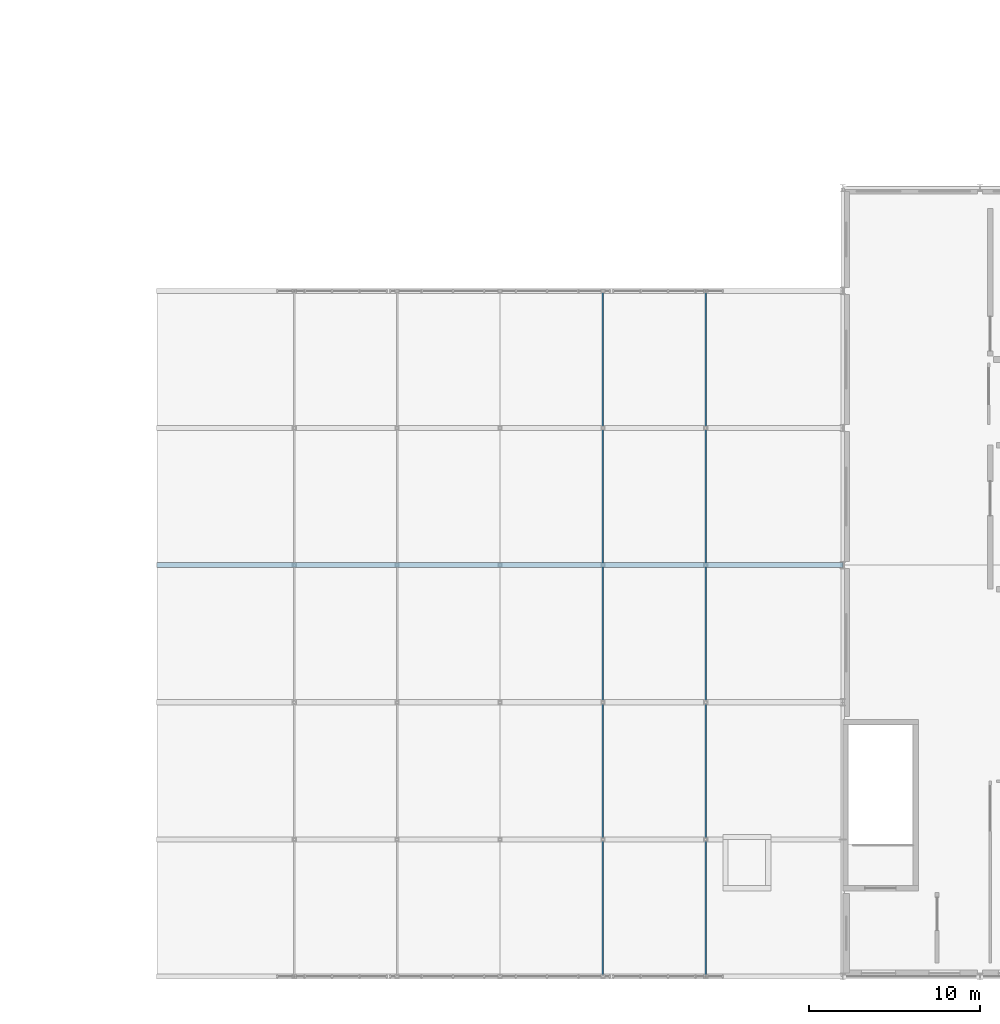
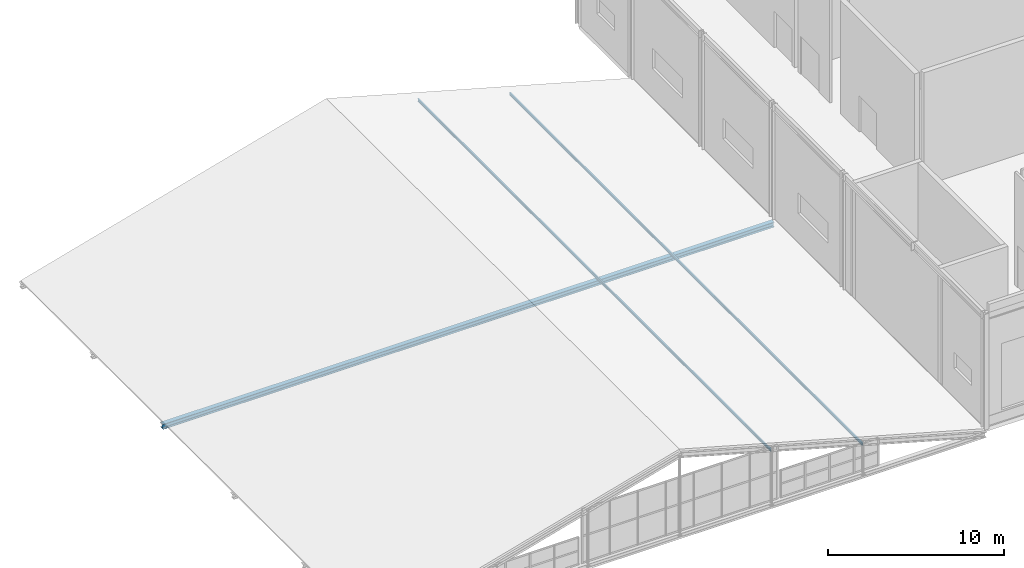
# One storey, part 21 of 49: 3 members.
"""IFC4 building model written with IfcOpenShell, lengths in metres."""

from ifc_helpers import new_model, si_unit, direction, frame, origin, origin_2d, place, context, subcontext, project, spatial, i_section, extrude, material, material_profile, profile_set, type_object, element, save


model = new_model("IFC4")

# Units and contexts
model_context = context("Model", 3, precision=1e-05, world=origin(), true_north=direction((0.0, 1.0)))
body_context = subcontext(model_context, "Body", "Model", "MODEL_VIEW")
ifc_project = project(units=[si_unit("LENGTHUNIT", "METRE"), si_unit("AREAUNIT", "SQUARE_METRE"), si_unit("VOLUMEUNIT", "CUBIC_METRE"), si_unit("PLANEANGLEUNIT", "RADIAN"), si_unit("MASSUNIT", "GRAM", prefix="KILO")], contexts=[model_context])

# Site, building, storey
site_placement = place(None, origin())
site = spatial("IfcSite", under=ifc_project, at=site_placement, CompositionType="ELEMENT")
building_placement = place(site_placement, origin())
building = spatial("IfcBuilding", under=site, at=building_placement, Name="Sundkrona Museum", CompositionType="ELEMENT")
storey_placement = place(building_placement, frame((0.0, 0.0, 26.0)))
storey = spatial("IfcBuildingStorey", under=building, at=storey_placement, Name="L05", CompositionType="ELEMENT", Elevation=26.0)

# Members
ifc_material = material(Name="Steel S355J2", Category="steel")
ifc_material_profile_1 = material_profile(ifc_material, i_section(OverallWidth=0.091064453125, OverallDepth=0.179931640625, WebThickness=0.00537109375, FlangeThickness=0.008056640625, FilletRadius=0.009033203125, at=origin_2d()), Name="IPE 180")
ifc_profile_set_1 = profile_set([ifc_material_profile_1], Name="Steel S355J2")
member_type_1 = type_object("IfcMemberType", Name="PR-IPE180", PredefinedType="PURLIN", material=ifc_profile_set_1)
for number, where, z_axis, x_axis, name in (
    (1, (106.0, 0.0, 3.35595703125), (0.0, 1.0, 0.0), (-1.0, 0.0, 0.0), "STR-1 Atrium Roof Purlin X=106"),
    (2, (112.0, 0.0, 1.677490234375), (0.0, 1.0, 0.0), (-1.0, 0.0, 0.0), "STR-1 Atrium Roof Purlin X=112"),
):
    element("IfcMember", number, at=place(storey_placement, frame(where, z_axis=z_axis, x_axis=x_axis)), inside=storey, type_object=member_type_1, Name=name, PredefinedType="PURLIN", context=body_context, shape_type="SweptSolid", body=[
        extrude(i_section(OverallWidth=0.091064453125, OverallDepth=0.179931640625, WebThickness=0.00537109375, FlangeThickness=0.008056640625, FilletRadius=0.009033203125, at=origin_2d()), origin(), (0.0, 0.0, 1.0), 40.0),
    ])
ifc_material_profile_2 = material_profile(ifc_material, i_section(OverallWidth=0.300048828125, OverallDepth=0.35009765625, WebThickness=0.010009765625, FlangeThickness=0.017578125, FilletRadius=0.027099609375, at=origin_2d()), Name="HEA 360")
ifc_profile_set_2 = profile_set([ifc_material_profile_2], Name="Steel S355J2")
member_type_2 = type_object("IfcMemberType", Name="TC-HEA360", PredefinedType="CHORD", material=ifc_profile_set_2)
member_placement = place(storey_placement, frame((80.0, 24.0, -0.39990234375), z_axis=(1.0, 0.0, 0.0), x_axis=(0.0, 1.0, 0.0)))
element("IfcMember", 3, at=member_placement, inside=storey, type_object=member_type_2, Name="RFS-1 Atrium Truss 4 Continuous Tie Chord", PredefinedType="CHORD", context=body_context, shape_type="SweptSolid", body=[
    extrude(i_section(OverallWidth=0.300048828125, OverallDepth=0.35009765625, WebThickness=0.010009765625, FlangeThickness=0.017578125, FilletRadius=0.027099609375, at=origin_2d()), origin(), (0.0, 0.0, 1.0), 40.0),
])

save(model, "model.ifc")
